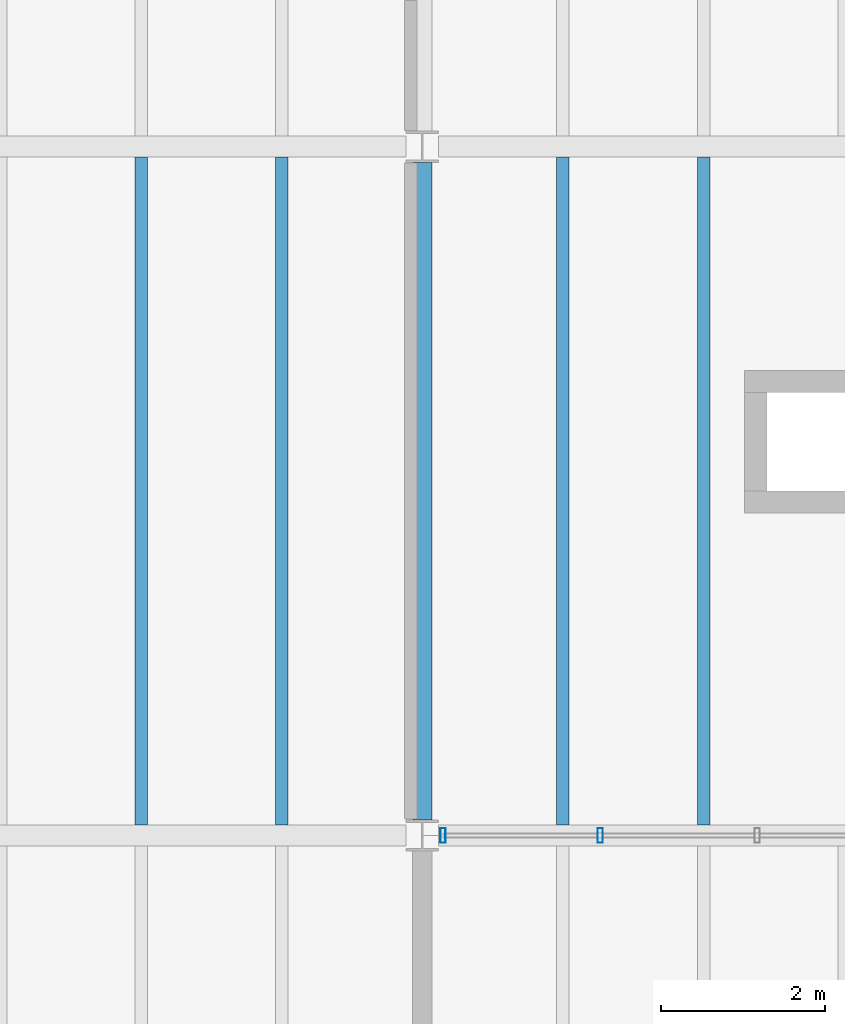
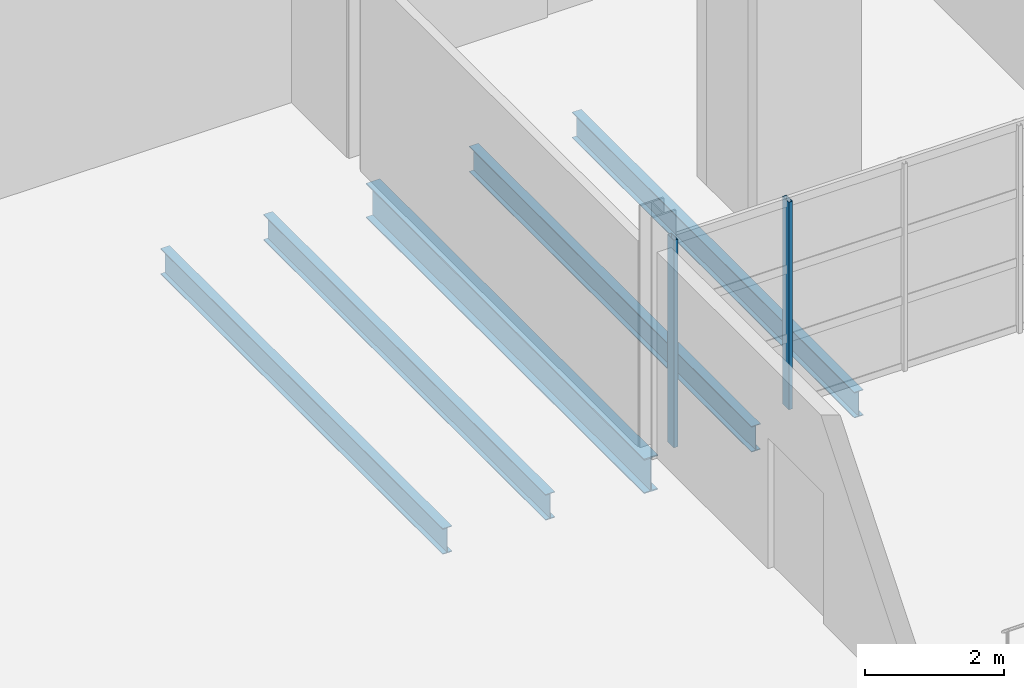
# One storey, part 38 of 114: 5 beams, 2 members, 1 element without a shape of its own.
"""IFC4 building model written with IfcOpenShell, lengths in metres."""

from ifc_helpers import new_model, si_unit, direction, frame, origin, origin_2d, place, context, subcontext, project, spatial, hollow_rectangle, i_section, extrude, material, material_profile, profile_set, type_object, element, aggregate, save


model = new_model("IFC4")

# Units and contexts
model_context = context("Model", 3, precision=1e-05, world=origin(), true_north=direction((0.0, 1.0)))
body_context = subcontext(model_context, "Body", "Model", "MODEL_VIEW")
ifc_project = project(units=[si_unit("LENGTHUNIT", "METRE"), si_unit("AREAUNIT", "SQUARE_METRE"), si_unit("VOLUMEUNIT", "CUBIC_METRE"), si_unit("PLANEANGLEUNIT", "RADIAN"), si_unit("MASSUNIT", "GRAM", prefix="KILO")], contexts=[model_context])

# Site, building, storey
site_placement = place(None, origin())
site = spatial("IfcSite", under=ifc_project, at=site_placement, CompositionType="ELEMENT")
building_placement = place(site_placement, origin())
building = spatial("IfcBuilding", under=site, at=building_placement, Name="Kelmvaro Bay Concert Hall", CompositionType="ELEMENT")
storey_placement = place(building_placement, frame((0.0, 0.0, 4.800048828125)))
storey = spatial("IfcBuildingStorey", under=building, at=storey_placement, Name="L01", CompositionType="ELEMENT", Elevation=4.800048828125)

# Curtain wall, members
ifc_material_1 = material(Name="Anodised Aluminium and Low-E Insulated Glazing", Category="aluminium")
curtain_wall_type = type_object("IfcCurtainWallType", Name="Mezzanine Concourse Curtain Wall 4100", PredefinedType="USERDEFINED", material=ifc_material_1)
curtain_wall_placement = place(storey_placement, origin())
curtain_wall = element("IfcCurtainWall", 1, at=curtain_wall_placement, inside=storey, type_object=curtain_wall_type, Name="Unitised Curtain Wall CW-L01-065", ObjectType="UNITISED GLAZING", PredefinedType="USERDEFINED")
ifc_material_2 = material(Name="Anodised Extruded Aluminium 6063-T6", Category="aluminium")
ifc_material_profile_1 = material_profile(ifc_material_2, hollow_rectangle(XDim=0.06494140625, YDim=0.179931640625, WallThickness=0.00390625, at=origin_2d()), Name="ALU-MUL-180X65")
ifc_profile_set_1 = profile_set([ifc_material_profile_1], Name="Anodised Extruded Aluminium 6063-T6")
member_type = type_object("IfcMemberType", Name="Curtain Mullion ALU 180x65", PredefinedType="MULLION", material=ifc_profile_set_1)
member_1_placement = place(storey_placement, frame((110.168212890625, 15.60009765625, 0.0), z_axis=(0.0, 0.0, 1.0), x_axis=(1.0, 0.0, 0.0)))
member_1 = element("IfcMember", 2, at=member_1_placement, type_object=member_type, Name="CW-L01-065 Mullion 06", PredefinedType="MULLION", context=body_context, shape_type="SweptSolid", body=[
    extrude(hollow_rectangle(XDim=0.06494140625, YDim=0.179931640625, WallThickness=0.00390625, at=origin_2d()), origin(), (0.0, 0.0, 1.0), 3.656982421875),
])
member_2_placement = place(storey_placement, frame((108.2529296875, 15.60009765625, 0.0), z_axis=(0.0, 0.0, 1.0), x_axis=(1.0, 0.0, 0.0)))
member_2 = element("IfcMember", 3, at=member_2_placement, type_object=member_type, Name="CW-L01-065 Mullion 07", PredefinedType="MULLION", context=body_context, shape_type="SweptSolid", body=[
    extrude(hollow_rectangle(XDim=0.06494140625, YDim=0.179931640625, WallThickness=0.00390625, at=origin_2d()), origin(), (0.0, 0.0, 1.0), 3.656982421875),
])
aggregate(curtain_wall, [member_1, member_2])

# Beams
ifc_material_3 = material(Name="Steel ASTM A992 Grade 50", Category="steel")
ifc_material_profile_2 = material_profile(ifc_material_3, i_section(OverallWidth=0.152099609375, OverallDepth=0.455078125, WebThickness=0.008056640625, FlangeThickness=0.01318359375, at=origin_2d()), Name="W18X40")
ifc_profile_set_2 = profile_set([ifc_material_profile_2], Name="Steel ASTM A992 Grade 50")
beam_type_1 = type_object("IfcBeamType", Name="Foyer Concourse Floor Joist W18x40", PredefinedType="JOIST", material=ifc_profile_set_2)
for number, where, z_axis, x_axis, name in (
    (4, (104.5712890625, 15.72802734375, -0.4775390625), (0.0, 1.0, 0.0), (-1.0, 0.0, 0.0), "L01 Floor Joist JST-L01-0305"),
    (5, (106.28564453125, 15.72802734375, -0.4775390625), (0.0, 1.0, 0.0), (-1.0, 0.0, 0.0), "L01 Floor Joist JST-L01-0306"),
    (6, (109.71435546875, 15.72802734375, -0.4775390625), (0.0, 1.0, 0.0), (-1.0, 0.0, 0.0), "L01 Floor Joist JST-L01-0307"),
    (7, (111.4287109375, 15.72802734375, -0.4775390625), (0.0, 1.0, 0.0), (-1.0, 0.0, 0.0), "L01 Floor Joist JST-L01-0308"),
):
    element("IfcBeam", number, at=place(storey_placement, frame(where, z_axis=z_axis, x_axis=x_axis)), inside=storey, type_object=beam_type_1, Name=name, PredefinedType="JOIST", context=body_context, shape_type="SweptSolid", body=[
        extrude(i_section(OverallWidth=0.152099609375, OverallDepth=0.455078125, WebThickness=0.008056640625, FlangeThickness=0.01318359375, at=origin_2d()), origin(), (0.0, 0.0, 1.0), 8.14404296875),
    ])
ifc_material_4 = material(Name="Steel ASTM A992 Grade 50", Category="steel")
ifc_material_profile_3 = material_profile(ifc_material_4, i_section(OverallWidth=0.22900390625, OverallDepth=0.612060546875, WebThickness=0.011962890625, FlangeThickness=0.01953125, at=origin_2d()), Name="W24X84")
ifc_profile_set_3 = profile_set([ifc_material_profile_3], Name="Steel ASTM A992 Grade 50")
beam_type_2 = type_object("IfcBeamType", Name="Terrace Edge Girder W24x84", PredefinedType="BEAM", material=ifc_profile_set_3)
beam_placement = place(storey_placement, frame((108.0, 15.79052734375, -0.55615234375), z_axis=(0.0, 1.0, 0.0), x_axis=(-1.0, 0.0, 0.0)))
element("IfcBeam", 8, at=beam_placement, inside=storey, type_object=beam_type_2, Name="L01 Girder BM-L01-NS-0176", PredefinedType="BEAM", context=body_context, shape_type="SweptSolid", body=[
    extrude(i_section(OverallWidth=0.22900390625, OverallDepth=0.612060546875, WebThickness=0.011962890625, FlangeThickness=0.01953125, at=origin_2d()), origin(), (0.0, 0.0, 1.0), 8.01904296875),
])

save(model, "model.ifc")
